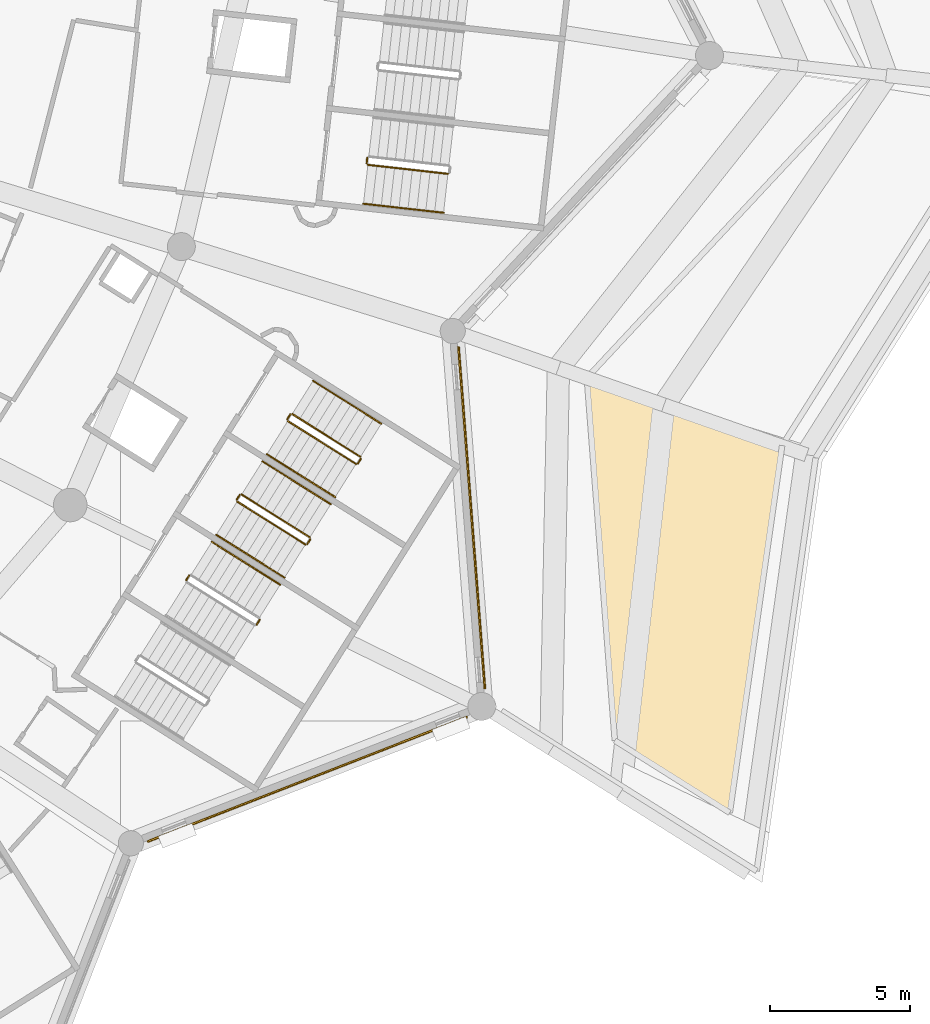
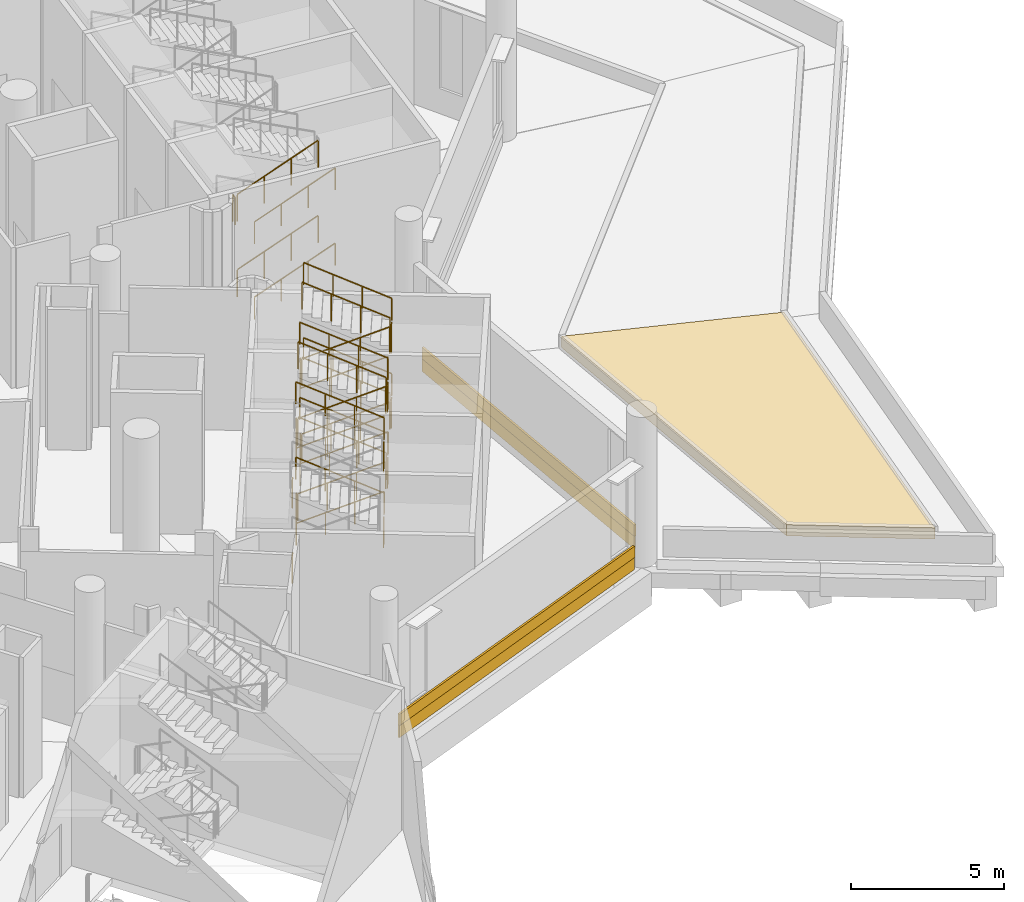
# One storey, part 135 of 173: 35 railings, 5 coverings.
"""IFC4 building model written with IfcOpenShell, lengths in metres."""

from ifc_helpers import new_model, si_unit, direction, frame, origin, origin_2d, place, context, subcontext, project, spatial, polyline, rectangle, circle, outline, extrude, material, layer, layer_set, type_object, element, save


model = new_model("IFC4")

# Units and contexts
model_context = context("Model", 3, precision=1e-05, world=origin(), true_north=direction((0.0, 1.0)))
body_context = subcontext(model_context, "Body", "Model", "MODEL_VIEW")
ifc_project = project(units=[si_unit("LENGTHUNIT", "METRE"), si_unit("AREAUNIT", "SQUARE_METRE"), si_unit("VOLUMEUNIT", "CUBIC_METRE"), si_unit("PLANEANGLEUNIT", "RADIAN"), si_unit("MASSUNIT", "GRAM", prefix="KILO")], contexts=[model_context])

# Site, building, storey
site_placement = place(None, origin())
site = spatial("IfcSite", under=ifc_project, at=site_placement, CompositionType="ELEMENT")
building_placement = place(site_placement, origin())
building = spatial("IfcBuilding", under=site, at=building_placement, Name="Meseta Stadium", CompositionType="ELEMENT")
storey_placement = place(building_placement, frame((0.0, 0.0, 18.0)))
storey = spatial("IfcBuildingStorey", under=building, at=storey_placement, Name="L03", CompositionType="ELEMENT", Elevation=18.0)

# Coverings
ifc_material_1 = material(Name="Guadarrama granite cladding", Category="masonry")
ifc_layer_1 = layer(ifc_material_1, 0.06005859375)
ifc_layer_set_1 = layer_set([ifc_layer_1], Name="Granite plinth cladding 60")
covering_type_1 = type_object("IfcCoveringType", Name="Granite plinth cladding 60", PredefinedType="CLADDING", material=ifc_layer_set_1)
for number, where, z_axis, x_axis, name in (
    (1, (86.669921875, -82.073486328125, 0.0), (0.0, 0.0, 1.0), (-0.931679815252, -0.363280500237, 0.0), "Granite plinth L03 F53"),
    (2, (92.543212890625, -72.726318359375, 0.0), (0.0, 0.0, 1.0), (0.076936549466, -0.997035991003, 0.0), "Granite plinth L03 F54"),
):
    element("IfcCovering", number, at=place(storey_placement, frame(where, z_axis=z_axis, x_axis=x_axis)), inside=storey, type_object=covering_type_1, Name=name, PredefinedType="CLADDING", context=body_context, shape_type="SweptSolid", body=[
        extrude(rectangle(XDim=12.273681640625, YDim=0.06005859375, at=origin_2d()), origin(), (0.0, 0.0, 1.0), 0.5),
    ])
ifc_material_2 = material(Name="Planting soil")
ifc_layer_2 = layer(ifc_material_2, 0.449951171875)
ifc_layer_set_2 = layer_set([ifc_layer_2], Name="Planting soil 450")
covering_type_2 = type_object("IfcCoveringType", Name="Planting soil 450", PredefinedType="FLOORING", material=ifc_layer_set_2)
covering_placement = place(storey_placement, origin())
element("IfcCovering", 3, at=covering_placement, inside=storey, type_object=covering_type_2, Name="Roof garden planting bed 8.1 panel 01", PredefinedType="FLOORING", context=body_context, shape_type="SweptSolid", body=[
    extrude(outline(polyline([(103.64404296875, -70.17041015625), (96.666015625, -67.728759765625), (97.666259765625, -80.692626953125), (101.773681640625, -83.2734375), (103.64404296875, -70.17041015625)])), origin(), (0.0, 0.0, 1.0), 0.449951171875),
])

# Railings
ifc_material_3 = material(Name="Steel S355", Category="steel")
railing_type_1 = type_object("IfcRailingType", Name="Stair guard 1100", PredefinedType="GUARDRAIL", material=ifc_material_3)
railing_1_placement = place(storey_placement, frame((88.83740234375, -60.10986328125, 0.14990234375)))
element("IfcRailing", 4, at=railing_1_placement, inside=storey, type_object=railing_type_1, Name="ST1 L03 guard 1", PredefinedType="GUARDRAIL", context=body_context, shape_type="SweptSolid", body=[
    extrude(circle(Radius=0.02392578125, at=origin_2d()), frame((0.0, 0.0, 1.076171875), z_axis=(0.899747905232, -0.10139626197, 0.424467319223), x_axis=(0.111985219376, 0.993709872468, 0.0)), (0.0, 0.0, 1.0), 3.1806640625),
    extrude(circle(Radius=0.02099609375, at=origin_2d()), origin(), (0.0, 0.0, 1.0), 1.052001953125),
    extrude(circle(Radius=0.02099609375, at=origin_2d()), frame((0.953857421875, -0.107421875, 0.449951171875)), (0.0, 0.0, 1.0), 1.052001953125),
    extrude(circle(Radius=0.02099609375, at=origin_2d()), frame((1.907958984375, -0.215087890625, 0.900146484375)), (0.0, 0.0, 1.0), 1.052001953125),
    extrude(circle(Radius=0.02099609375, at=origin_2d()), frame((2.86181640625, -0.322509765625, 1.35009765625)), (0.0, 0.0, 1.0), 1.052001953125),
])
railing_2_placement = place(storey_placement, frame((88.793212890625, -60.054443359375, 3.0)))
element("IfcRailing", 5, at=railing_2_placement, inside=storey, type_object=railing_type_1, Name="ST1 L03 guard 4", PredefinedType="GUARDRAIL", context=body_context, shape_type="SweptSolid", body=[
    extrude(circle(Radius=0.02392578125, at=origin_2d()), frame((0.0, 0.0, 1.076171875), z_axis=(0.112307083986, 0.993673547442, 0.0), x_axis=(-0.993673547442, 0.112307083986, 0.0)), (0.0, 0.0, 1.0), 0.199951171875),
    extrude(circle(Radius=0.02099609375, at=origin_2d()), origin(), (0.0, 0.0, 1.0), 1.052001953125),
    extrude(circle(Radius=0.02099609375, at=origin_2d()), frame((0.0224609375, 0.19873046875, 0.0)), (0.0, 0.0, 1.0), 1.052001953125),
])
railing_3_placement = place(storey_placement, frame((88.83740234375, -60.10986328125, 3.14990234375)))
element("IfcRailing", 6, at=railing_3_placement, inside=storey, type_object=railing_type_1, Name="ST1 L03 guard 5", PredefinedType="GUARDRAIL", context=body_context, shape_type="SweptSolid", body=[
    extrude(circle(Radius=0.02392578125, at=origin_2d()), frame((0.0, 0.0, 1.076171875), z_axis=(0.899747905232, -0.10139626197, 0.424467319223), x_axis=(0.111985219376, 0.993709872468, 0.0)), (0.0, 0.0, 1.0), 3.1806640625),
    extrude(circle(Radius=0.02099609375, at=origin_2d()), origin(), (0.0, 0.0, 1.0), 1.052001953125),
    extrude(circle(Radius=0.02099609375, at=origin_2d()), frame((0.953857421875, -0.107421875, 0.449951171875)), (0.0, 0.0, 1.0), 1.052001953125),
    extrude(circle(Radius=0.02099609375, at=origin_2d()), frame((1.907958984375, -0.215087890625, 0.900146484375)), (0.0, 0.0, 1.0), 1.052001953125),
    extrude(circle(Radius=0.02099609375, at=origin_2d()), frame((2.86181640625, -0.322509765625, 1.35009765625)), (0.0, 0.0, 1.0), 1.052001953125),
])
for number, where, name in (
    (7, (84.86376953125, -76.545654296875, 1.5), "ST110 L03 guard 2"),
    (8, (82.340576171875, -74.960205078125, 3.0), "ST110 L03 guard 4"),
    (9, (84.86376953125, -76.545654296875, 4.5), "ST110 L03 guard 6"),
    (10, (82.340576171875, -74.960205078125, 0.0), "ST110 L03 guard 8"),
):
    element("IfcRailing", number, at=place(storey_placement, frame(where)), inside=storey, type_object=railing_type_1, Name=name, PredefinedType="GUARDRAIL", context=body_context, shape_type="SweptSolid", body=[
        extrude(circle(Radius=0.02392578125, at=origin_2d()), frame((0.0, 0.0, 1.076171875), z_axis=(0.531971628011, 0.846762178531, 0.0), x_axis=(-0.846762178531, 0.531971628011, 0.0)), (0.0, 0.0, 1.0), 0.2001953125),
        extrude(circle(Radius=0.02099609375, at=origin_2d()), origin(), (0.0, 0.0, 1.0), 1.052001953125),
        extrude(circle(Radius=0.02099609375, at=origin_2d()), frame((0.1064453125, 0.16943359375, 0.0)), (0.0, 0.0, 1.0), 1.052001953125),
    ])
railing_4_placement = place(storey_placement, frame((84.165283203125, -72.150146484375, 0.14990234375)))
element("IfcRailing", 11, at=railing_4_placement, inside=storey, type_object=railing_type_1, Name="ST111 L03 guard 1", PredefinedType="GUARDRAIL", context=body_context, shape_type="SweptSolid", body=[
    extrude(circle(Radius=0.02392578125, at=origin_2d()), frame((0.0, 0.0, 1.076171875), z_axis=(0.766655447606, -0.481731036161, 0.424469826318), x_axis=(0.53203959143, 0.846719477248, 0.0)), (0.0, 0.0, 1.0), 3.1806640625),
    extrude(circle(Radius=0.02099609375, at=origin_2d()), origin(), (0.0, 0.0, 1.0), 1.052001953125),
    extrude(circle(Radius=0.02099609375, at=origin_2d()), frame((0.812744140625, -0.5107421875, 0.449951171875)), (0.0, 0.0, 1.0), 1.052001953125),
    extrude(circle(Radius=0.02099609375, at=origin_2d()), frame((1.625732421875, -1.021484375, 0.900146484375)), (0.0, 0.0, 1.0), 1.052001953125),
    extrude(circle(Radius=0.02099609375, at=origin_2d()), frame((2.4384765625, -1.5322265625, 1.35009765625)), (0.0, 0.0, 1.0), 1.052001953125),
])
railing_5_placement = place(storey_placement, frame((86.672607421875, -73.666748046875, 1.5)))
element("IfcRailing", 12, at=railing_5_placement, inside=storey, type_object=railing_type_1, Name="ST111 L03 guard 2", PredefinedType="GUARDRAIL", context=body_context, shape_type="SweptSolid", body=[
    extrude(circle(Radius=0.02392578125, at=origin_2d()), frame((0.0, 0.0, 1.076171875), z_axis=(0.531971628011, 0.846762178531, 0.0), x_axis=(-0.846762178531, 0.531971628011, 0.0)), (0.0, 0.0, 1.0), 0.2001953125),
    extrude(circle(Radius=0.02099609375, at=origin_2d()), origin(), (0.0, 0.0, 1.0), 1.052001953125),
    extrude(circle(Radius=0.02099609375, at=origin_2d()), frame((0.1064453125, 0.16943359375, 0.0)), (0.0, 0.0, 1.0), 1.052001953125),
])
railing_6_placement = place(storey_placement, frame((86.763427734375, -73.428466796875, 1.64990234375)))
element("IfcRailing", 13, at=railing_6_placement, inside=storey, type_object=railing_type_1, Name="ST111 L03 guard 3", PredefinedType="GUARDRAIL", context=body_context, shape_type="SweptSolid", body=[
    extrude(circle(Radius=0.02392578125, at=origin_2d()), frame((0.0, 0.0, 1.076171875), z_axis=(-0.766687087345, 0.481702688975, 0.424444848635), x_axis=(-0.532001404082, -0.84674347122, 0.0)), (0.0, 0.0, 1.0), 3.180908203125),
    extrude(circle(Radius=0.02099609375, at=origin_2d()), origin(), (0.0, 0.0, 1.0), 1.052001953125),
    extrude(circle(Radius=0.02099609375, at=origin_2d()), frame((-0.81298828125, 0.5107421875, 0.449951171875)), (0.0, 0.0, 1.0), 1.052001953125),
    extrude(circle(Radius=0.02099609375, at=origin_2d()), frame((-1.625732421875, 1.021484375, 0.900146484375)), (0.0, 0.0, 1.0), 1.052001953125),
    extrude(circle(Radius=0.02099609375, at=origin_2d()), frame((-2.438720703125, 1.5322265625, 1.35009765625)), (0.0, 0.0, 1.0), 1.052001953125),
])
railing_7_placement = place(storey_placement, frame((84.1494140625, -72.081298828125, 3.0)))
element("IfcRailing", 14, at=railing_7_placement, inside=storey, type_object=railing_type_1, Name="ST111 L03 guard 4", PredefinedType="GUARDRAIL", context=body_context, shape_type="SweptSolid", body=[
    extrude(circle(Radius=0.02392578125, at=origin_2d()), frame((0.0, 0.0, 1.076171875), z_axis=(0.531971628011, 0.846762178531, 0.0), x_axis=(-0.846762178531, 0.531971628011, 0.0)), (0.0, 0.0, 1.0), 0.2001953125),
    extrude(circle(Radius=0.02099609375, at=origin_2d()), origin(), (0.0, 0.0, 1.0), 1.052001953125),
    extrude(circle(Radius=0.02099609375, at=origin_2d()), frame((0.1064453125, 0.16943359375, 0.0)), (0.0, 0.0, 1.0), 1.052001953125),
])
railing_8_placement = place(storey_placement, frame((84.165283203125, -72.150146484375, 3.14990234375)))
element("IfcRailing", 15, at=railing_8_placement, inside=storey, type_object=railing_type_1, Name="ST111 L03 guard 5", PredefinedType="GUARDRAIL", context=body_context, shape_type="SweptSolid", body=[
    extrude(circle(Radius=0.02392578125, at=origin_2d()), frame((0.0, 0.0, 1.076171875), z_axis=(0.766655447606, -0.481731036161, 0.424469826318), x_axis=(0.53203959143, 0.846719477248, 0.0)), (0.0, 0.0, 1.0), 3.1806640625),
    extrude(circle(Radius=0.02099609375, at=origin_2d()), origin(), (0.0, 0.0, 1.0), 1.052001953125),
    extrude(circle(Radius=0.02099609375, at=origin_2d()), frame((0.812744140625, -0.5107421875, 0.449951171875)), (0.0, 0.0, 1.0), 1.052001953125),
    extrude(circle(Radius=0.02099609375, at=origin_2d()), frame((1.625732421875, -1.021484375, 0.900146484375)), (0.0, 0.0, 1.0), 1.052001953125),
    extrude(circle(Radius=0.02099609375, at=origin_2d()), frame((2.4384765625, -1.5322265625, 1.35009765625)), (0.0, 0.0, 1.0), 1.052001953125),
])
railing_9_placement = place(storey_placement, frame((86.672607421875, -73.666748046875, 4.5)))
element("IfcRailing", 16, at=railing_9_placement, inside=storey, type_object=railing_type_1, Name="ST111 L03 guard 6", PredefinedType="GUARDRAIL", context=body_context, shape_type="SweptSolid", body=[
    extrude(circle(Radius=0.02392578125, at=origin_2d()), frame((0.0, 0.0, 1.076171875), z_axis=(0.531971628011, 0.846762178531, 0.0), x_axis=(-0.846762178531, 0.531971628011, 0.0)), (0.0, 0.0, 1.0), 0.2001953125),
    extrude(circle(Radius=0.02099609375, at=origin_2d()), origin(), (0.0, 0.0, 1.0), 1.052001953125),
    extrude(circle(Radius=0.02099609375, at=origin_2d()), frame((0.1064453125, 0.16943359375, 0.0)), (0.0, 0.0, 1.0), 1.052001953125),
])
railing_10_placement = place(storey_placement, frame((86.763427734375, -73.428466796875, 4.64990234375)))
element("IfcRailing", 17, at=railing_10_placement, inside=storey, type_object=railing_type_1, Name="ST111 L03 guard 7", PredefinedType="GUARDRAIL", context=body_context, shape_type="SweptSolid", body=[
    extrude(circle(Radius=0.02392578125, at=origin_2d()), frame((0.0, 0.0, 1.076171875), z_axis=(-0.766687087345, 0.481702688975, 0.424444848635), x_axis=(-0.532001404082, -0.84674347122, 0.0)), (0.0, 0.0, 1.0), 3.180908203125),
    extrude(circle(Radius=0.02099609375, at=origin_2d()), origin(), (0.0, 0.0, 1.0), 1.052001953125),
    extrude(circle(Radius=0.02099609375, at=origin_2d()), frame((-0.81298828125, 0.5107421875, 0.449951171875)), (0.0, 0.0, 1.0), 1.052001953125),
    extrude(circle(Radius=0.02099609375, at=origin_2d()), frame((-1.625732421875, 1.021484375, 0.900146484375)), (0.0, 0.0, 1.0), 1.052001953125),
    extrude(circle(Radius=0.02099609375, at=origin_2d()), frame((-2.438720703125, 1.5322265625, 1.35009765625)), (0.0, 0.0, 1.0), 1.052001953125),
])
railing_11_placement = place(storey_placement, frame((84.1494140625, -72.081298828125, 0.0)))
element("IfcRailing", 18, at=railing_11_placement, inside=storey, type_object=railing_type_1, Name="ST111 L03 guard 8", PredefinedType="GUARDRAIL", context=body_context, shape_type="SweptSolid", body=[
    extrude(circle(Radius=0.02392578125, at=origin_2d()), frame((0.0, 0.0, 1.076171875), z_axis=(0.531971628011, 0.846762178531, 0.0), x_axis=(-0.846762178531, 0.531971628011, 0.0)), (0.0, 0.0, 1.0), 0.2001953125),
    extrude(circle(Radius=0.02099609375, at=origin_2d()), origin(), (0.0, 0.0, 1.0), 1.052001953125),
    extrude(circle(Radius=0.02099609375, at=origin_2d()), frame((0.1064453125, 0.16943359375, 0.0)), (0.0, 0.0, 1.0), 1.052001953125),
])
railing_12_placement = place(storey_placement, frame((85.97412109375, -69.271240234375, 0.14990234375)))
element("IfcRailing", 19, at=railing_12_placement, inside=storey, type_object=railing_type_1, Name="ST112 L03 guard 1", PredefinedType="GUARDRAIL", context=body_context, shape_type="SweptSolid", body=[
    extrude(circle(Radius=0.02392578125, at=origin_2d()), frame((0.0, 0.0, 1.076171875), z_axis=(0.766655447606, -0.481731036161, 0.424469826318), x_axis=(0.53203959143, 0.846719477248, 0.0)), (0.0, 0.0, 1.0), 3.1806640625),
    extrude(circle(Radius=0.02099609375, at=origin_2d()), origin(), (0.0, 0.0, 1.0), 1.052001953125),
    extrude(circle(Radius=0.02099609375, at=origin_2d()), frame((0.812744140625, -0.5107421875, 0.449951171875)), (0.0, 0.0, 1.0), 1.052001953125),
    extrude(circle(Radius=0.02099609375, at=origin_2d()), frame((1.625732421875, -1.021484375, 0.900146484375)), (0.0, 0.0, 1.0), 1.052001953125),
    extrude(circle(Radius=0.02099609375, at=origin_2d()), frame((2.4384765625, -1.5322265625, 1.35009765625)), (0.0, 0.0, 1.0), 1.052001953125),
])
railing_13_placement = place(storey_placement, frame((88.481689453125, -70.787841796875, 1.5)))
element("IfcRailing", 20, at=railing_13_placement, inside=storey, type_object=railing_type_1, Name="ST112 L03 guard 2", PredefinedType="GUARDRAIL", context=body_context, shape_type="SweptSolid", body=[
    extrude(circle(Radius=0.02392578125, at=origin_2d()), frame((0.0, 0.0, 1.076171875), z_axis=(0.531095943551, 0.847311689252, 0.0), x_axis=(-0.847311689252, 0.531095943551, 0.0)), (0.0, 0.0, 1.0), 0.199951171875),
    extrude(circle(Radius=0.02099609375, at=origin_2d()), origin(), (0.0, 0.0, 1.0), 1.052001953125),
    extrude(circle(Radius=0.02099609375, at=origin_2d()), frame((0.106201171875, 0.16943359375, 0.0)), (0.0, 0.0, 1.0), 1.052001953125),
])
railing_14_placement = place(storey_placement, frame((88.572265625, -70.549560546875, 1.64990234375)))
element("IfcRailing", 21, at=railing_14_placement, inside=storey, type_object=railing_type_1, Name="ST112 L03 guard 3", PredefinedType="GUARDRAIL", context=body_context, shape_type="SweptSolid", body=[
    extrude(circle(Radius=0.02392578125, at=origin_2d()), frame((0.0, 0.0, 1.076171875), z_axis=(-0.766655447606, 0.481731036161, 0.424469826318), x_axis=(-0.53203959143, -0.846719477248, 0.0)), (0.0, 0.0, 1.0), 3.1806640625),
    extrude(circle(Radius=0.02099609375, at=origin_2d()), origin(), (0.0, 0.0, 1.0), 1.052001953125),
    extrude(circle(Radius=0.02099609375, at=origin_2d()), frame((-0.812744140625, 0.5107421875, 0.449951171875)), (0.0, 0.0, 1.0), 1.052001953125),
    extrude(circle(Radius=0.02099609375, at=origin_2d()), frame((-1.625732421875, 1.021484375, 0.900146484375)), (0.0, 0.0, 1.0), 1.052001953125),
    extrude(circle(Radius=0.02099609375, at=origin_2d()), frame((-2.4384765625, 1.5322265625, 1.35009765625)), (0.0, 0.0, 1.0), 1.052001953125),
])
railing_15_placement = place(storey_placement, frame((85.958251953125, -69.202392578125, 3.0)))
element("IfcRailing", 22, at=railing_15_placement, inside=storey, type_object=railing_type_1, Name="ST112 L03 guard 4", PredefinedType="GUARDRAIL", context=body_context, shape_type="SweptSolid", body=[
    extrude(circle(Radius=0.02392578125, at=origin_2d()), frame((0.0, 0.0, 1.076171875), z_axis=(0.531971628011, 0.846762178531, 0.0), x_axis=(-0.846762178531, 0.531971628011, 0.0)), (0.0, 0.0, 1.0), 0.2001953125),
    extrude(circle(Radius=0.02099609375, at=origin_2d()), origin(), (0.0, 0.0, 1.0), 1.052001953125),
    extrude(circle(Radius=0.02099609375, at=origin_2d()), frame((0.1064453125, 0.16943359375, 0.0)), (0.0, 0.0, 1.0), 1.052001953125),
])
railing_16_placement = place(storey_placement, frame((85.97412109375, -69.271240234375, 3.14990234375)))
element("IfcRailing", 23, at=railing_16_placement, inside=storey, type_object=railing_type_1, Name="ST112 L03 guard 5", PredefinedType="GUARDRAIL", context=body_context, shape_type="SweptSolid", body=[
    extrude(circle(Radius=0.02392578125, at=origin_2d()), frame((0.0, 0.0, 1.076171875), z_axis=(0.766655447606, -0.481731036161, 0.424469826318), x_axis=(0.53203959143, 0.846719477248, 0.0)), (0.0, 0.0, 1.0), 3.1806640625),
    extrude(circle(Radius=0.02099609375, at=origin_2d()), origin(), (0.0, 0.0, 1.0), 1.052001953125),
    extrude(circle(Radius=0.02099609375, at=origin_2d()), frame((0.812744140625, -0.5107421875, 0.449951171875)), (0.0, 0.0, 1.0), 1.052001953125),
    extrude(circle(Radius=0.02099609375, at=origin_2d()), frame((1.625732421875, -1.021484375, 0.900146484375)), (0.0, 0.0, 1.0), 1.052001953125),
    extrude(circle(Radius=0.02099609375, at=origin_2d()), frame((2.4384765625, -1.5322265625, 1.35009765625)), (0.0, 0.0, 1.0), 1.052001953125),
])
railing_17_placement = place(storey_placement, frame((88.481689453125, -70.787841796875, 4.5)))
element("IfcRailing", 24, at=railing_17_placement, inside=storey, type_object=railing_type_1, Name="ST112 L03 guard 6", PredefinedType="GUARDRAIL", context=body_context, shape_type="SweptSolid", body=[
    extrude(circle(Radius=0.02392578125, at=origin_2d()), frame((0.0, 0.0, 1.076171875), z_axis=(0.531095943551, 0.847311689252, 0.0), x_axis=(-0.847311689252, 0.531095943551, 0.0)), (0.0, 0.0, 1.0), 0.199951171875),
    extrude(circle(Radius=0.02099609375, at=origin_2d()), origin(), (0.0, 0.0, 1.0), 1.052001953125),
    extrude(circle(Radius=0.02099609375, at=origin_2d()), frame((0.106201171875, 0.16943359375, 0.0)), (0.0, 0.0, 1.0), 1.052001953125),
])
railing_18_placement = place(storey_placement, frame((88.572265625, -70.549560546875, 4.64990234375)))
element("IfcRailing", 25, at=railing_18_placement, inside=storey, type_object=railing_type_1, Name="ST112 L03 guard 7", PredefinedType="GUARDRAIL", context=body_context, shape_type="SweptSolid", body=[
    extrude(circle(Radius=0.02392578125, at=origin_2d()), frame((0.0, 0.0, 1.076171875), z_axis=(-0.766655447606, 0.481731036161, 0.424469826318), x_axis=(-0.53203959143, -0.846719477248, 0.0)), (0.0, 0.0, 1.0), 3.1806640625),
    extrude(circle(Radius=0.02099609375, at=origin_2d()), origin(), (0.0, 0.0, 1.0), 1.052001953125),
    extrude(circle(Radius=0.02099609375, at=origin_2d()), frame((-0.812744140625, 0.5107421875, 0.449951171875)), (0.0, 0.0, 1.0), 1.052001953125),
    extrude(circle(Radius=0.02099609375, at=origin_2d()), frame((-1.625732421875, 1.021484375, 0.900146484375)), (0.0, 0.0, 1.0), 1.052001953125),
    extrude(circle(Radius=0.02099609375, at=origin_2d()), frame((-2.4384765625, 1.5322265625, 1.35009765625)), (0.0, 0.0, 1.0), 1.052001953125),
])
railing_19_placement = place(storey_placement, frame((85.958251953125, -69.202392578125, 0.0)))
element("IfcRailing", 26, at=railing_19_placement, inside=storey, type_object=railing_type_1, Name="ST112 L03 guard 8", PredefinedType="GUARDRAIL", context=body_context, shape_type="SweptSolid", body=[
    extrude(circle(Radius=0.02392578125, at=origin_2d()), frame((0.0, 0.0, 1.076171875), z_axis=(0.531971628011, 0.846762178531, 0.0), x_axis=(-0.846762178531, 0.531971628011, 0.0)), (0.0, 0.0, 1.0), 0.2001953125),
    extrude(circle(Radius=0.02099609375, at=origin_2d()), origin(), (0.0, 0.0, 1.0), 1.052001953125),
    extrude(circle(Radius=0.02099609375, at=origin_2d()), frame((0.1064453125, 0.16943359375, 0.0)), (0.0, 0.0, 1.0), 1.052001953125),
])
ifc_material_4 = material(Name="Steel S355", Category="steel")
railing_type_2 = type_object("IfcRailingType", Name="Stair handrail 900", PredefinedType="HANDRAIL", material=ifc_material_4)
for number, where, name in (
    (27, (88.6806640625, -61.5009765625, 0.14990234375), "ST1 L03 handrail 1"),
    (28, (88.6806640625, -61.5009765625, 3.14990234375), "ST1 L03 handrail 3"),
):
    element("IfcRailing", number, at=place(storey_placement, frame(where)), inside=storey, type_object=railing_type_2, Name=name, PredefinedType="HANDRAIL", context=body_context, shape_type="SweptSolid", body=[
        extrude(circle(Radius=0.02392578125, at=origin_2d()), frame((0.0, 0.0, 0.8759765625), z_axis=(0.899747905232, -0.10139626197, 0.424467319223), x_axis=(0.111985219376, 0.993709872468, 0.0)), (0.0, 0.0, 1.0), 3.1806640625),
        extrude(circle(Radius=0.02099609375, at=origin_2d()), origin(), (0.0, 0.0, 1.0), 0.851806640625),
        extrude(circle(Radius=0.02099609375, at=origin_2d()), frame((0.953857421875, -0.107421875, 0.449951171875)), (0.0, 0.0, 1.0), 0.851806640625),
        extrude(circle(Radius=0.02099609375, at=origin_2d()), frame((1.907958984375, -0.215087890625, 0.900146484375)), (0.0, 0.0, 1.0), 0.851806640625),
        extrude(circle(Radius=0.02099609375, at=origin_2d()), frame((2.86181640625, -0.322509765625, 1.35009765625)), (0.0, 0.0, 1.0), 0.851806640625),
    ])
for number, where, name in (
    (29, (85.69921875, -75.121826171875, 1.64990234375), "ST110 L03 handrail 2"),
    (30, (85.69921875, -75.121826171875, 4.64990234375), "ST110 L03 handrail 4"),
):
    element("IfcRailing", number, at=place(storey_placement, frame(where)), inside=storey, type_object=railing_type_2, Name=name, PredefinedType="HANDRAIL", context=body_context, shape_type="SweptSolid", body=[
        extrude(circle(Radius=0.02392578125, at=origin_2d()), frame((0.0, 0.0, 0.8759765625), z_axis=(-0.766655447606, 0.481731036161, 0.424469826318), x_axis=(-0.53203959143, -0.846719477248, 0.0)), (0.0, 0.0, 1.0), 3.1806640625),
        extrude(circle(Radius=0.02099609375, at=origin_2d()), origin(), (0.0, 0.0, 1.0), 0.851806640625),
        extrude(circle(Radius=0.02099609375, at=origin_2d()), frame((-0.812744140625, 0.5107421875, 0.449951171875)), (0.0, 0.0, 1.0), 0.851806640625),
        extrude(circle(Radius=0.02099609375, at=origin_2d()), frame((-1.625732421875, 1.021484375, 0.900146484375)), (0.0, 0.0, 1.0), 0.851806640625),
        extrude(circle(Radius=0.02099609375, at=origin_2d()), frame((-2.4384765625, 1.5322265625, 1.35009765625)), (0.0, 0.0, 1.0), 0.851806640625),
    ])
railing_20_placement = place(storey_placement, frame((83.42041015625, -73.335693359375, 0.14990234375)))
element("IfcRailing", 31, at=railing_20_placement, inside=storey, type_object=railing_type_2, Name="ST111 L03 handrail 1", PredefinedType="HANDRAIL", context=body_context, shape_type="SweptSolid", body=[
    extrude(circle(Radius=0.02392578125, at=origin_2d()), frame((0.0, 0.0, 0.8759765625), z_axis=(0.766655447606, -0.481731036161, 0.424469826318), x_axis=(0.53203959143, 0.846719477248, 0.0)), (0.0, 0.0, 1.0), 3.1806640625),
    extrude(circle(Radius=0.02099609375, at=origin_2d()), origin(), (0.0, 0.0, 1.0), 0.851806640625),
    extrude(circle(Radius=0.02099609375, at=origin_2d()), frame((0.812744140625, -0.5107421875, 0.449951171875)), (0.0, 0.0, 1.0), 0.851806640625),
    extrude(circle(Radius=0.02099609375, at=origin_2d()), frame((1.625732421875, -1.021484375, 0.900146484375)), (0.0, 0.0, 1.0), 0.851806640625),
    extrude(circle(Radius=0.02099609375, at=origin_2d()), frame((2.4384765625, -1.5322265625, 1.35009765625)), (0.0, 0.0, 1.0), 0.851806640625),
])
railing_21_placement = place(storey_placement, frame((87.50830078125, -72.242919921875, 1.64990234375)))
element("IfcRailing", 32, at=railing_21_placement, inside=storey, type_object=railing_type_2, Name="ST111 L03 handrail 2", PredefinedType="HANDRAIL", context=body_context, shape_type="SweptSolid", body=[
    extrude(circle(Radius=0.02392578125, at=origin_2d()), frame((0.0, 0.0, 0.8759765625), z_axis=(-0.766687087345, 0.481702688975, 0.424444848635), x_axis=(-0.532001404082, -0.84674347122, 0.0)), (0.0, 0.0, 1.0), 3.180908203125),
    extrude(circle(Radius=0.02099609375, at=origin_2d()), origin(), (0.0, 0.0, 1.0), 0.851806640625),
    extrude(circle(Radius=0.02099609375, at=origin_2d()), frame((-0.81298828125, 0.5107421875, 0.449951171875)), (0.0, 0.0, 1.0), 0.851806640625),
    extrude(circle(Radius=0.02099609375, at=origin_2d()), frame((-1.625732421875, 1.021484375, 0.900146484375)), (0.0, 0.0, 1.0), 0.851806640625),
    extrude(circle(Radius=0.02099609375, at=origin_2d()), frame((-2.438720703125, 1.5322265625, 1.35009765625)), (0.0, 0.0, 1.0), 0.851806640625),
])
railing_22_placement = place(storey_placement, frame((83.42041015625, -73.335693359375, 3.14990234375)))
element("IfcRailing", 33, at=railing_22_placement, inside=storey, type_object=railing_type_2, Name="ST111 L03 handrail 3", PredefinedType="HANDRAIL", context=body_context, shape_type="SweptSolid", body=[
    extrude(circle(Radius=0.02392578125, at=origin_2d()), frame((0.0, 0.0, 0.8759765625), z_axis=(0.766655447606, -0.481731036161, 0.424469826318), x_axis=(0.53203959143, 0.846719477248, 0.0)), (0.0, 0.0, 1.0), 3.1806640625),
    extrude(circle(Radius=0.02099609375, at=origin_2d()), origin(), (0.0, 0.0, 1.0), 0.851806640625),
    extrude(circle(Radius=0.02099609375, at=origin_2d()), frame((0.812744140625, -0.5107421875, 0.449951171875)), (0.0, 0.0, 1.0), 0.851806640625),
    extrude(circle(Radius=0.02099609375, at=origin_2d()), frame((1.625732421875, -1.021484375, 0.900146484375)), (0.0, 0.0, 1.0), 0.851806640625),
    extrude(circle(Radius=0.02099609375, at=origin_2d()), frame((2.4384765625, -1.5322265625, 1.35009765625)), (0.0, 0.0, 1.0), 0.851806640625),
])
railing_23_placement = place(storey_placement, frame((87.50830078125, -72.242919921875, 4.64990234375)))
element("IfcRailing", 34, at=railing_23_placement, inside=storey, type_object=railing_type_2, Name="ST111 L03 handrail 4", PredefinedType="HANDRAIL", context=body_context, shape_type="SweptSolid", body=[
    extrude(circle(Radius=0.02392578125, at=origin_2d()), frame((0.0, 0.0, 0.8759765625), z_axis=(-0.766687087345, 0.481702688975, 0.424444848635), x_axis=(-0.532001404082, -0.84674347122, 0.0)), (0.0, 0.0, 1.0), 3.180908203125),
    extrude(circle(Radius=0.02099609375, at=origin_2d()), origin(), (0.0, 0.0, 1.0), 0.851806640625),
    extrude(circle(Radius=0.02099609375, at=origin_2d()), frame((-0.81298828125, 0.5107421875, 0.449951171875)), (0.0, 0.0, 1.0), 0.851806640625),
    extrude(circle(Radius=0.02099609375, at=origin_2d()), frame((-1.625732421875, 1.021484375, 0.900146484375)), (0.0, 0.0, 1.0), 0.851806640625),
    extrude(circle(Radius=0.02099609375, at=origin_2d()), frame((-2.438720703125, 1.5322265625, 1.35009765625)), (0.0, 0.0, 1.0), 0.851806640625),
])
railing_24_placement = place(storey_placement, frame((85.229248046875, -70.456787109375, 0.14990234375)))
element("IfcRailing", 35, at=railing_24_placement, inside=storey, type_object=railing_type_2, Name="ST112 L03 handrail 1", PredefinedType="HANDRAIL", context=body_context, shape_type="SweptSolid", body=[
    extrude(circle(Radius=0.02392578125, at=origin_2d()), frame((0.0, 0.0, 0.8759765625), z_axis=(0.766655447606, -0.481731036161, 0.424469826318), x_axis=(0.53203959143, 0.846719477248, 0.0)), (0.0, 0.0, 1.0), 3.1806640625),
    extrude(circle(Radius=0.02099609375, at=origin_2d()), origin(), (0.0, 0.0, 1.0), 0.851806640625),
    extrude(circle(Radius=0.02099609375, at=origin_2d()), frame((0.812744140625, -0.5107421875, 0.449951171875)), (0.0, 0.0, 1.0), 0.851806640625),
    extrude(circle(Radius=0.02099609375, at=origin_2d()), frame((1.625732421875, -1.021484375, 0.900146484375)), (0.0, 0.0, 1.0), 0.851806640625),
    extrude(circle(Radius=0.02099609375, at=origin_2d()), frame((2.4384765625, -1.5322265625, 1.35009765625)), (0.0, 0.0, 1.0), 0.851806640625),
])
railing_25_placement = place(storey_placement, frame((89.317138671875, -69.3642578125, 1.64990234375)))
element("IfcRailing", 36, at=railing_25_placement, inside=storey, type_object=railing_type_2, Name="ST112 L03 handrail 2", PredefinedType="HANDRAIL", context=body_context, shape_type="SweptSolid", body=[
    extrude(circle(Radius=0.02392578125, at=origin_2d()), frame((0.0, 0.0, 0.8759765625), z_axis=(-0.766627098651, 0.481789977797, 0.424454130511), x_axis=(-0.532100364439, -0.846681287241, 0.0)), (0.0, 0.0, 1.0), 3.1806640625),
    extrude(circle(Radius=0.02099609375, at=origin_2d()), origin(), (0.0, 0.0, 1.0), 0.851806640625),
    extrude(circle(Radius=0.02099609375, at=origin_2d()), frame((-0.812744140625, 0.5107421875, 0.449951171875)), (0.0, 0.0, 1.0), 0.851806640625),
    extrude(circle(Radius=0.02099609375, at=origin_2d()), frame((-1.625732421875, 1.021728515625, 0.900146484375)), (0.0, 0.0, 1.0), 0.851806640625),
    extrude(circle(Radius=0.02099609375, at=origin_2d()), frame((-2.4384765625, 1.532470703125, 1.35009765625)), (0.0, 0.0, 1.0), 0.851806640625),
])
railing_26_placement = place(storey_placement, frame((85.229248046875, -70.456787109375, 3.14990234375)))
element("IfcRailing", 37, at=railing_26_placement, inside=storey, type_object=railing_type_2, Name="ST112 L03 handrail 3", PredefinedType="HANDRAIL", context=body_context, shape_type="SweptSolid", body=[
    extrude(circle(Radius=0.02392578125, at=origin_2d()), frame((0.0, 0.0, 0.8759765625), z_axis=(0.766655447606, -0.481731036161, 0.424469826318), x_axis=(0.53203959143, 0.846719477248, 0.0)), (0.0, 0.0, 1.0), 3.1806640625),
    extrude(circle(Radius=0.02099609375, at=origin_2d()), origin(), (0.0, 0.0, 1.0), 0.851806640625),
    extrude(circle(Radius=0.02099609375, at=origin_2d()), frame((0.812744140625, -0.5107421875, 0.449951171875)), (0.0, 0.0, 1.0), 0.851806640625),
    extrude(circle(Radius=0.02099609375, at=origin_2d()), frame((1.625732421875, -1.021484375, 0.900146484375)), (0.0, 0.0, 1.0), 0.851806640625),
    extrude(circle(Radius=0.02099609375, at=origin_2d()), frame((2.4384765625, -1.5322265625, 1.35009765625)), (0.0, 0.0, 1.0), 0.851806640625),
])
railing_27_placement = place(storey_placement, frame((89.317138671875, -69.3642578125, 4.64990234375)))
element("IfcRailing", 38, at=railing_27_placement, inside=storey, type_object=railing_type_2, Name="ST112 L03 handrail 4", PredefinedType="HANDRAIL", context=body_context, shape_type="SweptSolid", body=[
    extrude(circle(Radius=0.02392578125, at=origin_2d()), frame((0.0, 0.0, 0.8759765625), z_axis=(-0.766627098651, 0.481789977797, 0.424454130511), x_axis=(-0.532100364439, -0.846681287241, 0.0)), (0.0, 0.0, 1.0), 3.1806640625),
    extrude(circle(Radius=0.02099609375, at=origin_2d()), origin(), (0.0, 0.0, 1.0), 0.851806640625),
    extrude(circle(Radius=0.02099609375, at=origin_2d()), frame((-0.812744140625, 0.5107421875, 0.449951171875)), (0.0, 0.0, 1.0), 0.851806640625),
    extrude(circle(Radius=0.02099609375, at=origin_2d()), frame((-1.625732421875, 1.021728515625, 0.900146484375)), (0.0, 0.0, 1.0), 0.851806640625),
    extrude(circle(Radius=0.02099609375, at=origin_2d()), frame((-2.4384765625, 1.532470703125, 1.35009765625)), (0.0, 0.0, 1.0), 0.851806640625),
])

# Coverings
ifc_material_5 = material(Name="Precast concrete C40/50, terracotta pigment", Category="masonry")
ifc_layer_3 = layer(ifc_material_5, 0.080078125)
ifc_layer_set_3 = layer_set([ifc_layer_3], Name="Precast concrete C40/50, terracotta pigment")
covering_type_3 = type_object("IfcCoveringType", Name="Terracotta precast band 80", PredefinedType="CLADDING", material=ifc_layer_set_3)
for number, where, z_axis, x_axis, name in (
    (39, (86.673583984375, -82.082763671875, 0.5), (0.0, 0.0, 1.0), (-0.931679815252, -0.363280500237, 0.0), "Terracotta band L03 F53"),
    (40, (92.55322265625, -72.7255859375, 0.5), (0.0, 0.0, 1.0), (0.076936549466, -0.997035991003, 0.0), "Terracotta band L03 F54"),
):
    element("IfcCovering", number, at=place(storey_placement, frame(where, z_axis=z_axis, x_axis=x_axis)), inside=storey, type_object=covering_type_3, Name=name, PredefinedType="CLADDING", context=body_context, shape_type="SweptSolid", body=[
        extrude(rectangle(XDim=12.273681640625, YDim=0.080078125, at=origin_2d()), origin(), (0.0, 0.0, 1.0), 0.449951171875),
    ])

save(model, "model.ifc")
